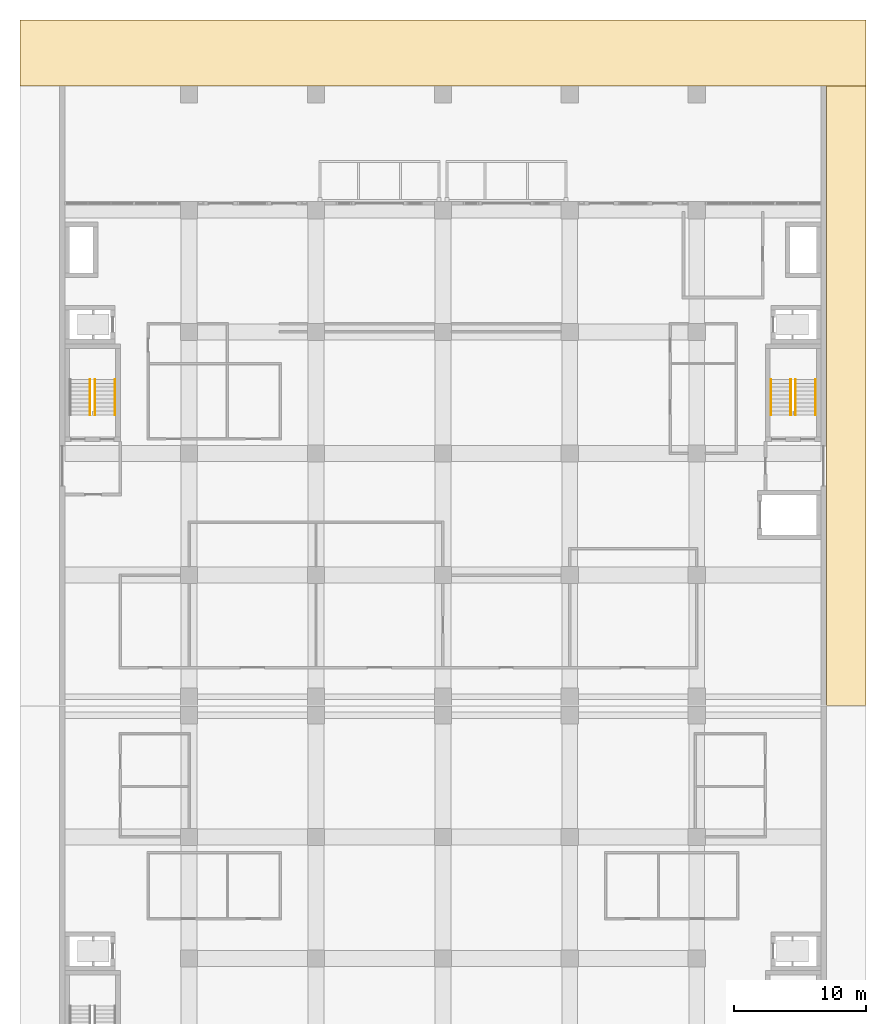
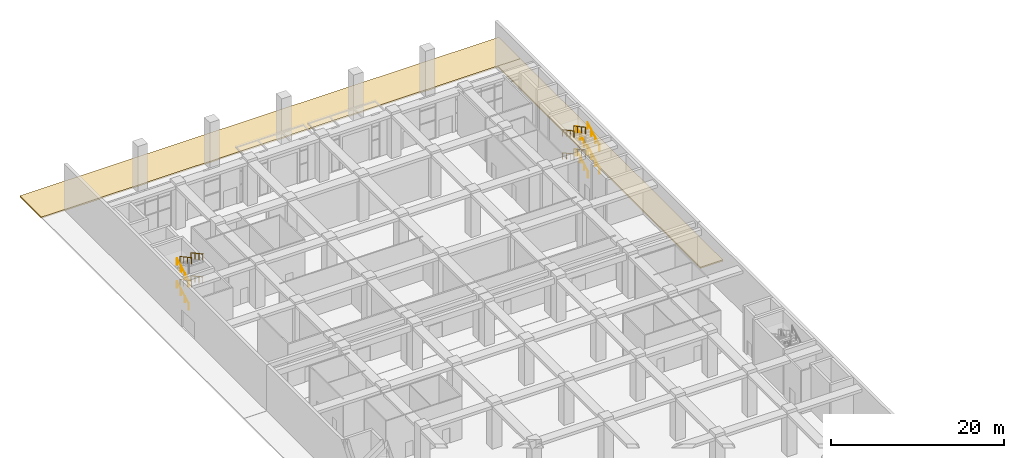
# One storey, part 31 of 45: 14 railings, 2 coverings.
"""IFC4 building model written with IfcOpenShell, lengths in metres."""

from ifc_helpers import new_model, si_unit, direction, frame, origin, origin_2d, place, context, subcontext, project, spatial, polyline, circle, outline, extrude, material, layer, layer_set, type_object, element, save


model = new_model("IFC4")

# Units and contexts
model_context = context("Model", 3, precision=1e-05, world=origin(), true_north=direction((0.0, 1.0)))
body_context = subcontext(model_context, "Body", "Model", "MODEL_VIEW")
ifc_project = project(units=[si_unit("LENGTHUNIT", "METRE"), si_unit("AREAUNIT", "SQUARE_METRE"), si_unit("VOLUMEUNIT", "CUBIC_METRE"), si_unit("PLANEANGLEUNIT", "RADIAN"), si_unit("MASSUNIT", "GRAM", prefix="KILO")], contexts=[model_context])

# Site, building, storey
site_placement = place(None, origin())
site = spatial("IfcSite", under=ifc_project, at=site_placement, CompositionType="ELEMENT")
building_placement = place(site_placement, origin())
building = spatial("IfcBuilding", under=site, at=building_placement, Name="Nzadi Deep Aquarium and Research Tower", CompositionType="ELEMENT")
storey_placement = place(building_placement, origin())
storey = spatial("IfcBuildingStorey", under=building, at=storey_placement, Name="G", CompositionType="ELEMENT", Elevation=0.0)

# Railings
ifc_material_1 = material(Name="Stainless steel 1.4301", Category="steel")
railing_type = type_object("IfcRailingType", Name="HANDRAIL 900", PredefinedType="HANDRAIL", material=ifc_material_1)
railing_1_placement = place(storey_placement, frame((2.114990234375, 116.110107421875, 0.16259765625)))
element("IfcRailing", 1, at=railing_1_placement, inside=storey, type_object=railing_type, Name="HR-ST-Z3-W-G-F1W", PredefinedType="HANDRAIL", context=body_context, shape_type="SweptSolid", body=[
    extrude(circle(Radius=0.02392578125, at=origin_2d()), frame((0.0, 0.0, 0.8759765625), z_axis=(0.0, 0.87930167832, 0.476265218658), x_axis=(-1.0, 0.0, 0.0)), (0.0, 0.0, 1.0), 3.070556640625),
    extrude(circle(Radius=0.02099609375, at=origin_2d()), origin(), (0.0, 0.0, 1.0), 0.851806640625),
    extrude(circle(Radius=0.02099609375, at=origin_2d()), frame((0.0, 0.89990234375, 0.487548828125)), (0.0, 0.0, 1.0), 0.851806640625),
    extrude(circle(Radius=0.02099609375, at=origin_2d()), frame((0.0, 1.800048828125, 0.974853515625)), (0.0, 0.0, 1.0), 0.851806640625),
    extrude(circle(Radius=0.02099609375, at=origin_2d()), frame((0.0, 2.699951171875, 1.46240234375)), (0.0, 0.0, 1.0), 0.851806640625),
])
for number, where, name in (
    (2, (3.989990234375, 118.81005859375, 1.78759765625), "HR-ST-Z3-W-G-F2"),
    (3, (2.485107421875, 118.81005859375, 1.78759765625), "HR-ST-Z3-W-G-F2W"),
):
    element("IfcRailing", number, at=place(storey_placement, frame(where)), inside=storey, type_object=railing_type, Name=name, PredefinedType="HANDRAIL", context=body_context, shape_type="SweptSolid", body=[
        extrude(circle(Radius=0.02392578125, at=origin_2d()), frame((0.0, 0.0, 0.8759765625), z_axis=(0.0, -0.87930167832, 0.476265218658), x_axis=(1.0, 0.0, 0.0)), (0.0, 0.0, 1.0), 3.070556640625),
        extrude(circle(Radius=0.02099609375, at=origin_2d()), origin(), (0.0, 0.0, 1.0), 0.851806640625),
        extrude(circle(Radius=0.02099609375, at=origin_2d()), frame((0.0, -0.89990234375, 0.487548828125)), (0.0, 0.0, 1.0), 0.851806640625),
        extrude(circle(Radius=0.02099609375, at=origin_2d()), frame((0.0, -1.800048828125, 0.974853515625)), (0.0, 0.0, 1.0), 0.851806640625),
        extrude(circle(Radius=0.02099609375, at=origin_2d()), frame((0.0, -2.699951171875, 1.46240234375)), (0.0, 0.0, 1.0), 0.851806640625),
    ])
railing_2_placement = place(storey_placement, frame((2.114990234375, 116.110107421875, 3.41259765625)))
element("IfcRailing", 4, at=railing_2_placement, inside=storey, type_object=railing_type, Name="HR-ST-Z3-W-G-F3W", PredefinedType="HANDRAIL", context=body_context, shape_type="SweptSolid", body=[
    extrude(circle(Radius=0.02392578125, at=origin_2d()), frame((0.0, 0.0, 0.8759765625), z_axis=(0.0, 0.87930167832, 0.476265218658), x_axis=(-1.0, 0.0, 0.0)), (0.0, 0.0, 1.0), 3.070556640625),
    extrude(circle(Radius=0.02099609375, at=origin_2d()), origin(), (0.0, 0.0, 1.0), 0.851806640625),
    extrude(circle(Radius=0.02099609375, at=origin_2d()), frame((0.0, 0.89990234375, 0.487548828125)), (0.0, 0.0, 1.0), 0.851806640625),
    extrude(circle(Radius=0.02099609375, at=origin_2d()), frame((0.0, 1.800048828125, 0.974853515625)), (0.0, 0.0, 1.0), 0.851806640625),
    extrude(circle(Radius=0.02099609375, at=origin_2d()), frame((0.0, 2.699951171875, 1.46240234375)), (0.0, 0.0, 1.0), 0.851806640625),
])
for number, where, name in (
    (5, (3.989990234375, 118.81005859375, 5.03759765625), "HR-ST-Z3-W-G-F4"),
    (6, (2.485107421875, 118.81005859375, 5.03759765625), "HR-ST-Z3-W-G-F4W"),
):
    element("IfcRailing", number, at=place(storey_placement, frame(where)), inside=storey, type_object=railing_type, Name=name, PredefinedType="HANDRAIL", context=body_context, shape_type="SweptSolid", body=[
        extrude(circle(Radius=0.02392578125, at=origin_2d()), frame((0.0, 0.0, 0.8759765625), z_axis=(0.0, -0.87930167832, 0.476265218658), x_axis=(1.0, 0.0, 0.0)), (0.0, 0.0, 1.0), 3.070556640625),
        extrude(circle(Radius=0.02099609375, at=origin_2d()), origin(), (0.0, 0.0, 1.0), 0.851806640625),
        extrude(circle(Radius=0.02099609375, at=origin_2d()), frame((0.0, -0.89990234375, 0.487548828125)), (0.0, 0.0, 1.0), 0.851806640625),
        extrude(circle(Radius=0.02099609375, at=origin_2d()), frame((0.0, -1.800048828125, 0.974853515625)), (0.0, 0.0, 1.0), 0.851806640625),
        extrude(circle(Radius=0.02099609375, at=origin_2d()), frame((0.0, -2.699951171875, 1.46240234375)), (0.0, 0.0, 1.0), 0.851806640625),
    ])
for number, where, name in (
    (7, (56.989990234375, 116.110107421875, 0.16259765625), "HR-ST-Z3-E-G-F1"),
    (8, (55.485107421875, 116.110107421875, 0.16259765625), "HR-ST-Z3-E-G-F1W"),
):
    element("IfcRailing", number, at=place(storey_placement, frame(where)), inside=storey, type_object=railing_type, Name=name, PredefinedType="HANDRAIL", context=body_context, shape_type="SweptSolid", body=[
        extrude(circle(Radius=0.02392578125, at=origin_2d()), frame((0.0, 0.0, 0.8759765625), z_axis=(0.0, 0.87930167832, 0.476265218658), x_axis=(-1.0, 0.0, 0.0)), (0.0, 0.0, 1.0), 3.070556640625),
        extrude(circle(Radius=0.02099609375, at=origin_2d()), origin(), (0.0, 0.0, 1.0), 0.851806640625),
        extrude(circle(Radius=0.02099609375, at=origin_2d()), frame((0.0, 0.89990234375, 0.487548828125)), (0.0, 0.0, 1.0), 0.851806640625),
        extrude(circle(Radius=0.02099609375, at=origin_2d()), frame((0.0, 1.800048828125, 0.974853515625)), (0.0, 0.0, 1.0), 0.851806640625),
        extrude(circle(Radius=0.02099609375, at=origin_2d()), frame((0.0, 2.699951171875, 1.46240234375)), (0.0, 0.0, 1.0), 0.851806640625),
    ])
for number, where, name in (
    (9, (53.610107421875, 118.81005859375, 1.78759765625), "HR-ST-Z3-E-G-F2"),
    (10, (55.114990234375, 118.81005859375, 1.78759765625), "HR-ST-Z3-E-G-F2W"),
):
    element("IfcRailing", number, at=place(storey_placement, frame(where)), inside=storey, type_object=railing_type, Name=name, PredefinedType="HANDRAIL", context=body_context, shape_type="SweptSolid", body=[
        extrude(circle(Radius=0.02392578125, at=origin_2d()), frame((0.0, 0.0, 0.8759765625), z_axis=(0.0, -0.87930167832, 0.476265218658), x_axis=(1.0, 0.0, 0.0)), (0.0, 0.0, 1.0), 3.070556640625),
        extrude(circle(Radius=0.02099609375, at=origin_2d()), origin(), (0.0, 0.0, 1.0), 0.851806640625),
        extrude(circle(Radius=0.02099609375, at=origin_2d()), frame((0.0, -0.89990234375, 0.487548828125)), (0.0, 0.0, 1.0), 0.851806640625),
        extrude(circle(Radius=0.02099609375, at=origin_2d()), frame((0.0, -1.800048828125, 0.974853515625)), (0.0, 0.0, 1.0), 0.851806640625),
        extrude(circle(Radius=0.02099609375, at=origin_2d()), frame((0.0, -2.699951171875, 1.46240234375)), (0.0, 0.0, 1.0), 0.851806640625),
    ])
for number, where, name in (
    (11, (56.989990234375, 116.110107421875, 3.41259765625), "HR-ST-Z3-E-G-F3"),
    (12, (55.485107421875, 116.110107421875, 3.41259765625), "HR-ST-Z3-E-G-F3W"),
):
    element("IfcRailing", number, at=place(storey_placement, frame(where)), inside=storey, type_object=railing_type, Name=name, PredefinedType="HANDRAIL", context=body_context, shape_type="SweptSolid", body=[
        extrude(circle(Radius=0.02392578125, at=origin_2d()), frame((0.0, 0.0, 0.8759765625), z_axis=(0.0, 0.87930167832, 0.476265218658), x_axis=(-1.0, 0.0, 0.0)), (0.0, 0.0, 1.0), 3.070556640625),
        extrude(circle(Radius=0.02099609375, at=origin_2d()), origin(), (0.0, 0.0, 1.0), 0.851806640625),
        extrude(circle(Radius=0.02099609375, at=origin_2d()), frame((0.0, 0.89990234375, 0.487548828125)), (0.0, 0.0, 1.0), 0.851806640625),
        extrude(circle(Radius=0.02099609375, at=origin_2d()), frame((0.0, 1.800048828125, 0.974853515625)), (0.0, 0.0, 1.0), 0.851806640625),
        extrude(circle(Radius=0.02099609375, at=origin_2d()), frame((0.0, 2.699951171875, 1.46240234375)), (0.0, 0.0, 1.0), 0.851806640625),
    ])
for number, where, name in (
    (13, (53.610107421875, 118.81005859375, 5.03759765625), "HR-ST-Z3-E-G-F4"),
    (14, (55.114990234375, 118.81005859375, 5.03759765625), "HR-ST-Z3-E-G-F4W"),
):
    element("IfcRailing", number, at=place(storey_placement, frame(where)), inside=storey, type_object=railing_type, Name=name, PredefinedType="HANDRAIL", context=body_context, shape_type="SweptSolid", body=[
        extrude(circle(Radius=0.02392578125, at=origin_2d()), frame((0.0, 0.0, 0.8759765625), z_axis=(0.0, -0.87930167832, 0.476265218658), x_axis=(1.0, 0.0, 0.0)), (0.0, 0.0, 1.0), 3.070556640625),
        extrude(circle(Radius=0.02099609375, at=origin_2d()), origin(), (0.0, 0.0, 1.0), 0.851806640625),
        extrude(circle(Radius=0.02099609375, at=origin_2d()), frame((0.0, -0.89990234375, 0.487548828125)), (0.0, 0.0, 1.0), 0.851806640625),
        extrude(circle(Radius=0.02099609375, at=origin_2d()), frame((0.0, -1.800048828125, 0.974853515625)), (0.0, 0.0, 1.0), 0.851806640625),
        extrude(circle(Radius=0.02099609375, at=origin_2d()), frame((0.0, -2.699951171875, 1.46240234375)), (0.0, 0.0, 1.0), 0.851806640625),
    ])

# Coverings
ifc_material_2 = material(Name="Paving")
ifc_layer = layer(ifc_material_2, 0.199951171875)
ifc_layer_set = layer_set([ifc_layer], Name="Paving")
covering_type = type_object("IfcCoveringType", Name="Paving 200", PredefinedType="USERDEFINED", material=ifc_layer_set)
covering_1_placement = place(storey_placement, frame((0.0, 0.0, -0.199951171875)))
element("IfcCovering", 15, at=covering_1_placement, inside=storey, type_object=covering_type, Name="Escape lane east Z3", ObjectType="PAVING", PredefinedType="USERDEFINED", context=body_context, shape_type="SweptSolid", body=[
    extrude(outline(polyline([(57.800048828125, 94.1201171875), (60.7900390625, 94.1201171875), (60.7900390625, 141.0), (57.800048828125, 141.0), (57.800048828125, 94.1201171875)])), origin(), (0.0, 0.0, 1.0), 0.199951171875),
])
covering_2_placement = place(storey_placement, frame((0.0, 0.0, -0.199951171875)))
element("IfcCovering", 16, at=covering_2_placement, inside=storey, type_object=covering_type, Name="Boulevard forecourt", ObjectType="PAVING", PredefinedType="USERDEFINED", context=body_context, shape_type="SweptSolid", body=[
    extrude(outline(polyline([(-3.18994140625, 141.0), (60.7900390625, 141.0), (60.7900390625, 145.989990234375), (-3.18994140625, 145.989990234375), (-3.18994140625, 141.0)])), origin(), (0.0, 0.0, 1.0), 0.199951171875),
])

save(model, "model.ifc")
